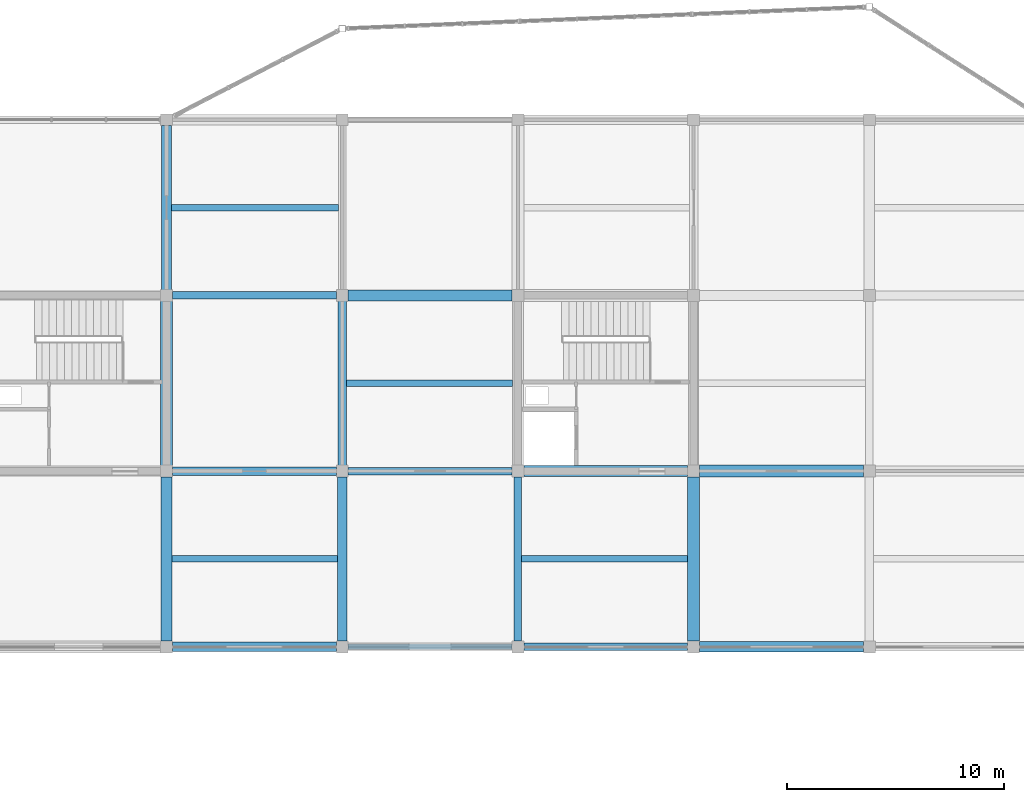
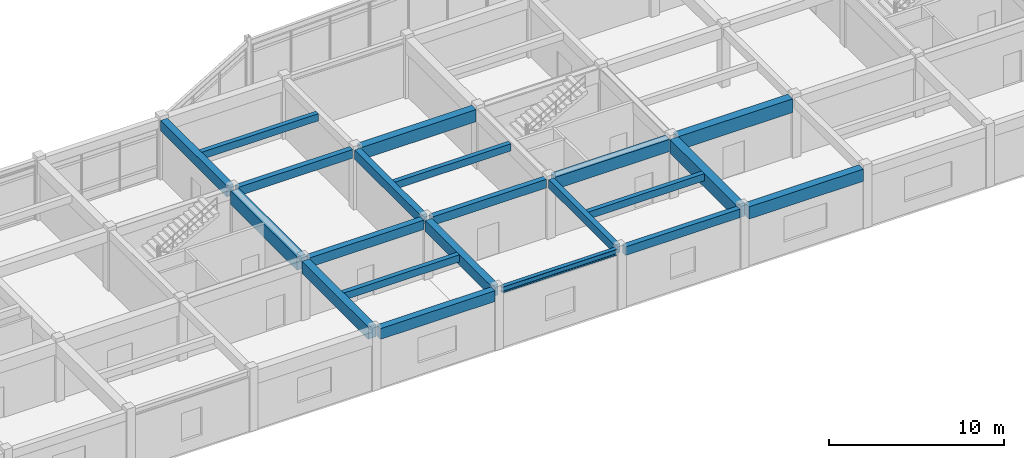
# One storey, part 12 of 42: 21 beams.
"""IFC4 building model written with IfcOpenShell, lengths in metres."""

from ifc_helpers import new_model, si_unit, direction, frame, origin, origin_2d, place, context, subcontext, project, spatial, rectangle, i_section, extrude, material, material_profile, profile_set, type_object, element, save


model = new_model("IFC4")

# Units and contexts
model_context = context("Model", 3, precision=1e-05, world=origin(), true_north=direction((0.0, 1.0)))
body_context = subcontext(model_context, "Body", "Model", "MODEL_VIEW")
ifc_project = project(units=[si_unit("LENGTHUNIT", "METRE"), si_unit("AREAUNIT", "SQUARE_METRE"), si_unit("VOLUMEUNIT", "CUBIC_METRE"), si_unit("PLANEANGLEUNIT", "RADIAN"), si_unit("MASSUNIT", "GRAM", prefix="KILO")], contexts=[model_context])

# Site, building, storey
site_placement = place(None, origin())
site = spatial("IfcSite", under=ifc_project, at=site_placement, CompositionType="ELEMENT")
building_placement = place(site_placement, origin())
building = spatial("IfcBuilding", under=site, at=building_placement, Name="Vaudrelin Polytechnic", CompositionType="ELEMENT")
storey_placement = place(building_placement, frame((0.0, 0.0, 18.530029296875)))
storey = spatial("IfcBuildingStorey", under=building, at=storey_placement, Name="L04", CompositionType="ELEMENT", Elevation=18.530029296875)

# Beams
ifc_material_1 = material(Name="Concrete 40 MPa", Category="concrete")
ifc_material_profile_1 = material_profile(ifc_material_1, rectangle(XDim=0.35009765625, YDim=0.60009765625, at=origin_2d()), Name="RC350x600")
ifc_profile_set_1 = profile_set([ifc_material_profile_1], Name="Concrete 40 MPa")
beam_type_1 = type_object("IfcBeamType", Name="BM-BM-RC3560", PredefinedType="BEAM", material=ifc_profile_set_1)
beam_1_placement = place(storey_placement, frame((81.0, 97.4599609375, 3.85986328125), z_axis=(0.0, 1.0, 0.0), x_axis=(-1.0, 0.0, 0.0)))
element("IfcBeam", 1, at=beam_1_placement, inside=storey, type_object=beam_type_1, Name="L04 Y-beam 11-13", PredefinedType="BEAM", context=body_context, shape_type="SweptSolid", body=[
    extrude(rectangle(XDim=0.35009765625, YDim=0.60009765625, at=origin_2d()), origin(), (0.0, 0.0, 1.0), 7.580078125),
])
beam_2_placement = place(storey_placement, frame((65.071044921875, 113.39990234375, 3.85986328125), z_axis=(1.0, 0.0, 0.0), x_axis=(0.0, 1.0, 0.0)))
element("IfcBeam", 2, at=beam_2_placement, inside=storey, type_object=beam_type_1, Name="L04 X-beam 9-15", PredefinedType="BEAM", context=body_context, shape_type="SweptSolid", body=[
    extrude(rectangle(XDim=0.35009765625, YDim=0.60009765625, at=origin_2d()), origin(), (0.0, 0.0, 1.0), 7.557861328125),
])
for number, where, z_axis, x_axis, name in (
    (3, (73.1708984375, 105.300048828125, 3.85986328125), (1.0, 0.0, 0.0), (0.0, 1.0, 0.0), "L04 X-beam 10-14"),
    (4, (81.27099609375, 97.199951171875, 3.85986328125), (1.0, 0.0, 0.0), (0.0, 1.0, 0.0), "L04 X-beam 11-13"),
):
    element("IfcBeam", number, at=place(storey_placement, frame(where, z_axis=z_axis, x_axis=x_axis)), inside=storey, type_object=beam_type_1, Name=name, PredefinedType="BEAM", context=body_context, shape_type="SweptSolid", body=[
        extrude(rectangle(XDim=0.35009765625, YDim=0.60009765625, at=origin_2d()), origin(), (0.0, 0.0, 1.0), 7.55810546875),
    ])
ifc_material_profile_2 = material_profile(ifc_material_1, rectangle(XDim=0.39990234375, YDim=0.64990234375, at=origin_2d()), Name="RC400x650")
ifc_profile_set_2 = profile_set([ifc_material_profile_2], Name="Concrete 40 MPa")
beam_type_2 = type_object("IfcBeamType", Name="BM-BM-RC4065", PredefinedType="BEAM", material=ifc_profile_set_2)
beam_3_placement = place(storey_placement, frame((72.89990234375, 105.56005859375, 3.8349609375), z_axis=(0.0, 1.0, 0.0), x_axis=(-1.0, 0.0, 0.0)))
element("IfcBeam", 5, at=beam_3_placement, inside=storey, type_object=beam_type_2, Name="L04 Y-beam 10-14", PredefinedType="BEAM", context=body_context, shape_type="SweptSolid", body=[
    extrude(rectangle(XDim=0.39990234375, YDim=0.64990234375, at=origin_2d()), origin(), (0.0, 0.0, 1.0), 7.579833984375),
])
beam_4_placement = place(storey_placement, frame((65.071044921875, 105.300048828125, 3.8349609375), z_axis=(1.0, 0.0, 0.0), x_axis=(0.0, 1.0, 0.0)))
element("IfcBeam", 6, at=beam_4_placement, inside=storey, type_object=beam_type_2, Name="L04 X-beam 9-14", PredefinedType="BEAM", context=body_context, shape_type="SweptSolid", body=[
    extrude(rectangle(XDim=0.39990234375, YDim=0.64990234375, at=origin_2d()), origin(), (0.0, 0.0, 1.0), 7.557861328125),
])
ifc_material_profile_3 = material_profile(ifc_material_1, rectangle(XDim=0.449951171875, YDim=0.75, at=origin_2d()), Name="RC450x750")
ifc_profile_set_3 = profile_set([ifc_material_profile_3], Name="Concrete 40 MPa")
beam_type_3 = type_object("IfcBeamType", Name="BM-BM-RC4575", PredefinedType="BEAM", material=ifc_profile_set_3)
for number, where, z_axis, x_axis, name in (
    (7, (64.800048828125, 113.659912109375, 3.784912109375), (0.0, 1.0, 0.0), (-1.0, 0.0, 0.0), "L04 Y-beam 9-15"),
    (8, (72.89990234375, 97.4599609375, 3.784912109375), (0.0, 1.0, 0.0), (-1.0, 0.0, 0.0), "L04 Y-beam 10-13"),
):
    element("IfcBeam", number, at=place(storey_placement, frame(where, z_axis=z_axis, x_axis=x_axis)), inside=storey, type_object=beam_type_3, Name=name, PredefinedType="BEAM", context=body_context, shape_type="SweptSolid", body=[
        extrude(rectangle(XDim=0.449951171875, YDim=0.75, at=origin_2d()), origin(), (0.0, 0.0, 1.0), 7.580078125),
    ])
beam_5_placement = place(storey_placement, frame((65.071044921875, 97.199951171875, 3.784912109375), z_axis=(1.0, 0.0, 0.0), x_axis=(0.0, 1.0, 0.0)))
element("IfcBeam", 9, at=beam_5_placement, inside=storey, type_object=beam_type_3, Name="L04 X-beam 9-13", PredefinedType="BEAM", context=body_context, shape_type="SweptSolid", body=[
    extrude(rectangle(XDim=0.449951171875, YDim=0.75, at=origin_2d()), origin(), (0.0, 0.0, 1.0), 7.557861328125),
])
ifc_material_profile_4 = material_profile(ifc_material_1, rectangle(XDim=0.5, YDim=0.85009765625, at=origin_2d()), Name="RC500x850")
ifc_profile_set_4 = profile_set([ifc_material_profile_4], Name="Concrete 40 MPa")
beam_type_4 = type_object("IfcBeamType", Name="BM-BM-RC5085", PredefinedType="BEAM", material=ifc_profile_set_4)
beam_6_placement = place(storey_placement, frame((64.800048828125, 97.4599609375, 3.73486328125), z_axis=(0.0, 1.0, 0.0), x_axis=(-1.0, 0.0, 0.0)))
element("IfcBeam", 10, at=beam_6_placement, inside=storey, type_object=beam_type_4, Name="L04 Y-beam 9-13", PredefinedType="BEAM", context=body_context, shape_type="SweptSolid", body=[
    extrude(rectangle(XDim=0.5, YDim=0.85009765625, at=origin_2d()), origin(), (0.0, 0.0, 1.0), 7.580078125),
])
for number, where, z_axis, x_axis, name in (
    (11, (73.1708984375, 113.39990234375, 3.73486328125), (1.0, 0.0, 0.0), (0.0, 1.0, 0.0), "L04 X-beam 10-15"),
    (12, (81.27099609375, 105.300048828125, 3.73486328125), (1.0, 0.0, 0.0), (0.0, 1.0, 0.0), "L04 X-beam 11-14"),
):
    element("IfcBeam", number, at=place(storey_placement, frame(where, z_axis=z_axis, x_axis=x_axis)), inside=storey, type_object=beam_type_4, Name=name, PredefinedType="BEAM", context=body_context, shape_type="SweptSolid", body=[
        extrude(rectangle(XDim=0.5, YDim=0.85009765625, at=origin_2d()), origin(), (0.0, 0.0, 1.0), 7.55810546875),
    ])
beam_7_placement = place(storey_placement, frame((89.37109375, 97.199951171875, 3.73486328125), z_axis=(1.0, 0.0, 0.0), x_axis=(0.0, 1.0, 0.0)))
element("IfcBeam", 13, at=beam_7_placement, inside=storey, type_object=beam_type_4, Name="L04 X-beam 12-13", PredefinedType="BEAM", context=body_context, shape_type="SweptSolid", body=[
    extrude(rectangle(XDim=0.5, YDim=0.85009765625, at=origin_2d()), origin(), (0.0, 0.0, 1.0), 7.557861328125),
])
ifc_material_2 = material(Name="Concrete 50 MPa", Category="concrete")
ifc_material_profile_5 = material_profile(ifc_material_2, rectangle(XDim=0.550048828125, YDim=0.949951171875, at=origin_2d()), Name="RC550x950")
ifc_profile_set_5 = profile_set([ifc_material_profile_5], Name="Concrete 50 MPa")
beam_type_5 = type_object("IfcBeamType", Name="BM-BM-RC5595", PredefinedType="BEAM", material=ifc_profile_set_5)
beam_8_placement = place(storey_placement, frame((64.800048828125, 105.56005859375, 3.68505859375), z_axis=(0.0, 1.0, 0.0), x_axis=(-1.0, 0.0, 0.0)))
element("IfcBeam", 14, at=beam_8_placement, inside=storey, type_object=beam_type_5, Name="L04 Y-beam 9-14", PredefinedType="BEAM", context=body_context, shape_type="SweptSolid", body=[
    extrude(rectangle(XDim=0.550048828125, YDim=0.949951171875, at=origin_2d()), origin(), (0.0, 0.0, 1.0), 7.579833984375),
])
beam_9_placement = place(storey_placement, frame((89.10009765625, 97.4599609375, 3.68505859375), z_axis=(0.0, 1.0, 0.0), x_axis=(-1.0, 0.0, 0.0)))
element("IfcBeam", 15, at=beam_9_placement, inside=storey, type_object=beam_type_5, Name="L04 Y-beam 12-13", PredefinedType="BEAM", context=body_context, shape_type="SweptSolid", body=[
    extrude(rectangle(XDim=0.550048828125, YDim=0.949951171875, at=origin_2d()), origin(), (0.0, 0.0, 1.0), 7.580078125),
])
beam_10_placement = place(storey_placement, frame((89.37109375, 105.300048828125, 3.68505859375), z_axis=(1.0, 0.0, 0.0), x_axis=(0.0, 1.0, 0.0)))
element("IfcBeam", 16, at=beam_10_placement, inside=storey, type_object=beam_type_5, Name="L04 X-beam 12-14", PredefinedType="BEAM", context=body_context, shape_type="SweptSolid", body=[
    extrude(rectangle(XDim=0.550048828125, YDim=0.949951171875, at=origin_2d()), origin(), (0.0, 0.0, 1.0), 7.557861328125),
])
ifc_material_3 = material(Name="Steel CSA G40.21 350WT", Category="steel")
ifc_material_profile_6 = material_profile(ifc_material_3, i_section(OverallWidth=0.260009765625, OverallDepth=0.4150390625, WebThickness=0.010009765625, FlangeThickness=0.016845703125, FilletRadius=0.01611328125, at=origin_2d()), Name="W410x100")
ifc_profile_set_6 = profile_set([ifc_material_profile_6], Name="Steel CSA G40.21 350WT")
beam_type_6 = type_object("IfcBeamType", Name="BM-BM-W410H", PredefinedType="SPANDREL", material=ifc_profile_set_6)
beam_11_placement = place(storey_placement, frame((73.1708984375, 97.199951171875, 3.952392578125), z_axis=(1.0, 0.0, 0.0), x_axis=(0.0, 1.0, 0.0)))
element("IfcBeam", 17, at=beam_11_placement, inside=storey, type_object=beam_type_6, Name="L04 X-beam 10-13", PredefinedType="SPANDREL", context=body_context, shape_type="SweptSolid", body=[
    extrude(i_section(OverallWidth=0.260009765625, OverallDepth=0.4150390625, WebThickness=0.010009765625, FlangeThickness=0.016845703125, FilletRadius=0.01611328125, at=origin_2d()), origin(), (0.0, 0.0, 1.0), 7.55810546875),
])
ifc_material_profile_7 = material_profile(ifc_material_1, rectangle(XDim=0.300048828125, YDim=0.5, at=origin_2d()), Name="RC300x500")
ifc_profile_set_7 = profile_set([ifc_material_profile_7], Name="Concrete 40 MPa")
beam_type_7 = type_object("IfcBeamType", Name="BM-JS-RC3050", PredefinedType="JOIST", material=ifc_profile_set_7)
beam_12_placement = place(storey_placement, frame((65.0458984375, 101.25, 3.909912109375), z_axis=(1.0, 0.0, 0.0), x_axis=(0.0, 1.0, 0.0)))
element("IfcBeam", 18, at=beam_12_placement, inside=storey, type_object=beam_type_7, Name="L04 floor joist 9-13", PredefinedType="JOIST", context=body_context, shape_type="SweptSolid", body=[
    extrude(rectangle(XDim=0.300048828125, YDim=0.5, at=origin_2d()), origin(), (0.0, 0.0, 1.0), 7.633056640625),
])
beam_13_placement = place(storey_placement, frame((65.02099609375, 117.449951171875, 3.909912109375), z_axis=(1.0, 0.0, 0.0), x_axis=(0.0, 1.0, 0.0)))
element("IfcBeam", 19, at=beam_13_placement, inside=storey, type_object=beam_type_7, Name="L04 floor joist 9-15", PredefinedType="JOIST", context=body_context, shape_type="SweptSolid", body=[
    extrude(rectangle(XDim=0.300048828125, YDim=0.5, at=origin_2d()), origin(), (0.0, 0.0, 1.0), 7.7080078125),
])
beam_14_placement = place(storey_placement, frame((73.095947265625, 109.35009765625, 3.909912109375), z_axis=(1.0, 0.0, 0.0), x_axis=(0.0, 1.0, 0.0)))
element("IfcBeam", 20, at=beam_14_placement, inside=storey, type_object=beam_type_7, Name="L04 floor joist 10-14", PredefinedType="JOIST", context=body_context, shape_type="SweptSolid", body=[
    extrude(rectangle(XDim=0.300048828125, YDim=0.5, at=origin_2d()), origin(), (0.0, 0.0, 1.0), 7.657958984375),
])
beam_15_placement = place(storey_placement, frame((81.1708984375, 101.25, 3.909912109375), z_axis=(1.0, 0.0, 0.0), x_axis=(0.0, 1.0, 0.0)))
element("IfcBeam", 21, at=beam_15_placement, inside=storey, type_object=beam_type_7, Name="L04 floor joist 11-13", PredefinedType="JOIST", context=body_context, shape_type="SweptSolid", body=[
    extrude(rectangle(XDim=0.300048828125, YDim=0.5, at=origin_2d()), origin(), (0.0, 0.0, 1.0), 7.658203125),
])

save(model, "model.ifc")
